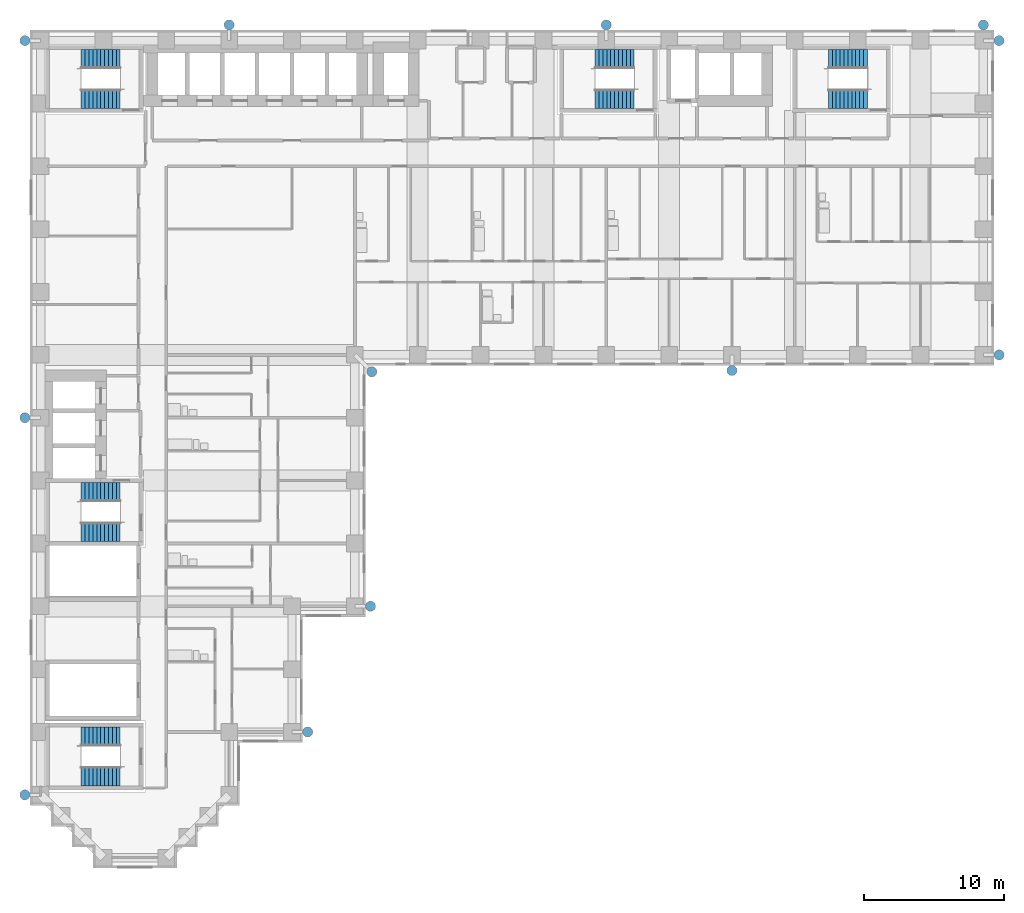
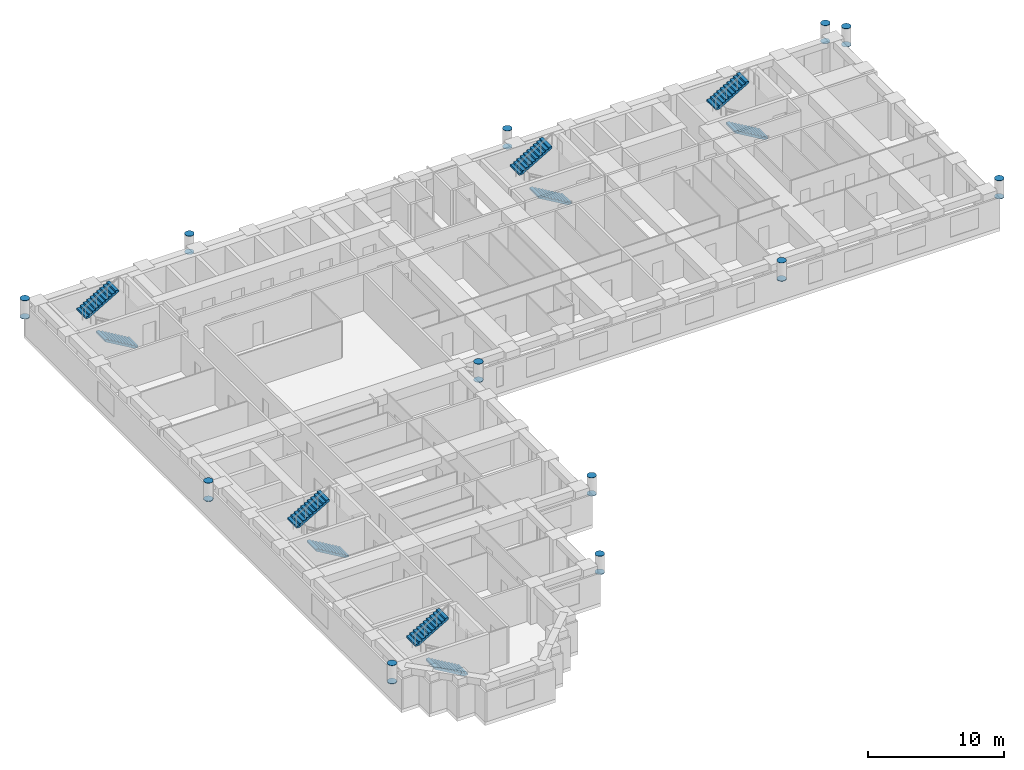
# One storey, part 12 of 14: 24 discrete accessories, 10 stair flights, 5 elements without a shape of their own.
"""IFC4 building model written with IfcOpenShell, lengths in metres."""

import ifcopenshell
import ifcopenshell.guid

model = None  # the IFC model being written
_history = None  # IfcOwnerHistory: only IFC2X3 demands one
_inside = {}  # id of a spatial element -> (the spatial element, [elements in it])
_under = {}  # id of a project, library or spatial element -> (it, [spatial elements below it])
_declared = {}  # id of a project -> (the project, [libraries it declares])
_typed = {}  # id of a type object -> (the type object, [elements of that type])
_made_of = {}  # id of a material, layer set ... -> (it, [elements and type objects made of it])


def new_model(schema):
    """Start an empty IFC model of exactly this schema.

    Asked for "IFC4X3", IfcOpenShell would pick the latest addendum, in which some entities
    have other attributes; the version numbers below select the first issue.
    IFC2X3 requires an IfcOwnerHistory on every rooted entity: one is made here for all.
    """
    global model, _history
    if schema == "IFC4X3":
        model = ifcopenshell.file(schema_version=(4, 3, 0, 0))
    else:
        model = ifcopenshell.file(schema=schema)
    _inside.clear()
    _under.clear()
    _declared.clear()
    _typed.clear()
    _made_of.clear()
    _history = None
    if model.schema == "IFC2X3":
        org = make("IfcOrganization", Name="unknown")
        user = make(
            "IfcPersonAndOrganization",
            ThePerson=make("IfcPerson", FamilyName="unknown"),
            TheOrganization=org,
        )
        app = make(
            "IfcApplication",
            ApplicationDeveloper=org,
            Version="unknown",
            ApplicationFullName="unknown",
            ApplicationIdentifier="unknown",
        )
        _history = make(
            "IfcOwnerHistory",
            OwningUser=user,
            OwningApplication=app,
            ChangeAction="ADDED",
            CreationDate=0,
        )
    return model


def make(cls, **values):
    """One entity of the class cls with the attributes given. An attribute that is None is left unset."""
    return model.create_entity(
        cls, **{name: value for name, value in values.items() if value is not None}
    )


def rooted(cls, **values):
    """An entity with a GlobalId (a new one), such as an element, a storey or a relation."""
    return make(cls, GlobalId=ifcopenshell.guid.new(), OwnerHistory=_history, **values)


def si_unit(unit_type, name, prefix=None):
    """IfcSIUnit, for example si_unit("LENGTHUNIT", "METRE", prefix="MILLI")."""
    return make("IfcSIUnit", UnitType=unit_type, Prefix=prefix, Name=name)


def assignment(units):
    """IfcUnitAssignment: the units of a project."""
    return None if units is None else make("IfcUnitAssignment", Units=units)


def point(xyz):
    """IfcCartesianPoint."""
    return None if xyz is None else make("IfcCartesianPoint", Coordinates=xyz)


def direction(xyz):
    """IfcDirection."""
    return None if xyz is None else make("IfcDirection", DirectionRatios=xyz)


def frame(location, z_axis=None, x_axis=None):
    """IfcAxis2Placement3D, a coordinate frame: its origin and axes. An axis left out is left unset."""
    return make(
        "IfcAxis2Placement3D",
        Location=point(location),
        Axis=direction(z_axis),
        RefDirection=direction(x_axis),
    )


def frame_2d(location, x_axis=None):
    """IfcAxis2Placement2D, a coordinate frame in the plane: its origin and x axis."""
    return make(
        "IfcAxis2Placement2D", Location=point(location), RefDirection=direction(x_axis)
    )


def origin():
    """The frame at (0, 0, 0) with its axes left unset."""
    return frame((0.0, 0.0, 0.0))


def origin_2d():
    """The frame at (0, 0) in the plane with its x axis left unset."""
    return frame_2d((0.0, 0.0))


def place(relative_to, where):
    """IfcLocalPlacement: puts the frame where relative to a parent placement (None: the world)."""
    return make(
        "IfcLocalPlacement", PlacementRelTo=relative_to, RelativePlacement=where
    )


def context(
    kind, dimensions, precision=None, world=None, true_north=None, identifier=None
):
    """IfcGeometricRepresentationContext, for example the 3D "Model" context."""
    return make(
        "IfcGeometricRepresentationContext",
        ContextIdentifier=identifier,
        ContextType=kind,
        CoordinateSpaceDimension=dimensions,
        Precision=precision,
        WorldCoordinateSystem=world,
        TrueNorth=true_north,
    )


def subcontext(parent, identifier, kind, view, scale=None):
    """IfcGeometricRepresentationSubContext, for example "Body" below "Model"."""
    return make(
        "IfcGeometricRepresentationSubContext",
        ContextIdentifier=identifier,
        ContextType=kind,
        ParentContext=parent,
        TargetScale=scale,
        TargetView=view,
    )


def project(units=None, contexts=None):
    """IfcProject with its units and contexts."""
    return rooted(
        "IfcProject",
        Name="project",
        RepresentationContexts=contexts,
        UnitsInContext=assignment(units),
    )


def spatial(cls, under=None, at=None, **own):
    """A site, building, storey or space (cls), placed at a placement, below another one or the project."""
    s = rooted(cls, ObjectPlacement=at, **own)
    if under is not None:
        _under.setdefault(under.id(), (under, []))[1].append(s)
    return s


def polyline(points):
    """IfcPolyline through the points."""
    return make("IfcPolyline", Points=[point(p) for p in points])


def profile(cls, at=None, kind="AREA", **sizes):
    """A parametric profile (cls). Its sizes go by their IFC names, for example OverallWidth=200.0."""
    return make(cls, ProfileType=kind, Position=at, **sizes)


def circle(**sizes):
    """IfcCircleProfileDef."""
    return profile("IfcCircleProfileDef", **sizes)


def outline(outer, holes=None, kind="AREA"):
    """IfcArbitraryClosedProfileDef: a profile drawn as a closed curve; with holes, ...WithVoids."""
    if holes is None:
        return make("IfcArbitraryClosedProfileDef", ProfileType=kind, OuterCurve=outer)
    return make(
        "IfcArbitraryProfileDefWithVoids",
        ProfileType=kind,
        OuterCurve=outer,
        InnerCurves=holes,
    )


def extrude(swept, where, along, depth):
    """IfcExtrudedAreaSolid: the profile swept, set in the frame where, extruded along a direction by depth."""
    return make(
        "IfcExtrudedAreaSolid",
        SweptArea=swept,
        Position=where,
        ExtrudedDirection=direction(along),
        Depth=depth,
    )


def shape(context_of_items, identifier, shape_type, items):
    """IfcShapeRepresentation: the items that make up one representation, for example the "Body"."""
    return make(
        "IfcShapeRepresentation",
        ContextOfItems=context_of_items,
        RepresentationIdentifier=identifier,
        RepresentationType=shape_type,
        Items=items,
    )


def material(Name=None, Category=None):
    """IfcMaterial."""
    return make("IfcMaterial", Name=Name, Category=Category)


def material_profile(
    of_material, cross_section, Name=None, Category=None, Priority=None
):
    """IfcMaterialProfile: a cross section and its material."""
    return make(
        "IfcMaterialProfile",
        Name=Name,
        Material=of_material,
        Profile=cross_section,
        Priority=Priority,
        Category=Category,
    )


def profile_set(profiles, Name=None, composite=None):
    """IfcMaterialProfileSet."""
    return make(
        "IfcMaterialProfileSet",
        Name=Name,
        MaterialProfiles=profiles,
        CompositeProfile=composite,
    )


def made_of(thing, what):
    """Note that an element or type object is made of a material, layer set ...; save() writes the relation."""
    if what is not None:
        _made_of.setdefault(what.id(), (what, []))[1].append(thing)
    return thing


def type_object(cls, material=None, **own):
    """A type object (cls), such as IfcWallType, which elements share."""
    return made_of(rooted(cls, **own), material)


def element(
    cls,
    number,
    at=None,
    inside=None,
    cuts=None,
    type_object=None,
    material=None,
    context=None,
    identifier="Body",
    shape_type=None,
    held_by="IfcProductDefinitionShape",
    body=None,
    shapes=None,
    **own,
):
    """One element of the class cls, such as IfcWall. Its Tag is "e" and its number.

    at: its placement. inside: the storey or other place that contains it. cuts: it is an
    opening in that element (IfcRelVoidsElement). A single representation is given by context,
    identifier, shape_type and body (its items); several are given by shapes. held_by: the class
    of the entity that holds the representations. save() writes the other relations.
    """
    e = rooted(cls, Tag="e%d" % number, ObjectPlacement=at, **own)
    if body is not None:
        shapes = [shape(context, identifier, shape_type, body)]
    if shapes is not None:
        e.Representation = make(held_by, Representations=shapes)
    if inside is not None:
        _inside.setdefault(inside.id(), (inside, []))[1].append(e)
    if cuts is not None:
        rooted(
            "IfcRelVoidsElement", RelatingBuildingElement=cuts, RelatedOpeningElement=e
        )
    if type_object is not None:
        _typed.setdefault(type_object.id(), (type_object, []))[1].append(e)
    return made_of(e, material)


def aggregate(whole, parts):
    """IfcRelAggregates: a whole, such as a stair, and the parts it consists of."""
    return rooted("IfcRelAggregates", RelatingObject=whole, RelatedObjects=parts)


def save(model, path):
    """Write the relations noted so far, then the file.

    IfcRelAggregates (storeys below a building ...), IfcRelContainedInSpatialStructure (elements
    in a storey), IfcRelDefinesByType, IfcRelAssociatesMaterial and IfcRelDeclares: one each for
    every whole, place, type object, material and project.
    """
    for whole, parts in _under.values():
        aggregate(whole, parts)
    for where, things in _inside.values():
        rooted(
            "IfcRelContainedInSpatialStructure",
            RelatedElements=things,
            RelatingStructure=where,
        )
    for kind, things in _typed.values():
        rooted("IfcRelDefinesByType", RelatedObjects=things, RelatingType=kind)
    for what, things in _made_of.values():
        rooted("IfcRelAssociatesMaterial", RelatedObjects=things, RelatingMaterial=what)
    for by, libraries in _declared.values():
        rooted("IfcRelDeclares", RelatingContext=by, RelatedDefinitions=libraries)
    model.write(path)


model = new_model("IFC4")

# Units and contexts
model_context = context("Model", 3, precision=1e-05, world=origin(), true_north=direction((0.0, 1.0)))
body_context = subcontext(model_context, "Body", "Model", "MODEL_VIEW")
ifc_project = project(units=[si_unit("LENGTHUNIT", "METRE"), si_unit("AREAUNIT", "SQUARE_METRE"), si_unit("VOLUMEUNIT", "CUBIC_METRE"), si_unit("PLANEANGLEUNIT", "RADIAN"), si_unit("MASSUNIT", "GRAM", prefix="KILO")], contexts=[model_context])

# Site, building, storey
site_placement = place(None, origin())
site = spatial("IfcSite", under=ifc_project, at=site_placement, CompositionType="ELEMENT")
building_placement = place(site_placement, origin())
building = spatial("IfcBuilding", under=site, at=building_placement, Name="Firuza Court", CompositionType="ELEMENT")
storey_placement = place(building_placement, frame((0.0, 0.0, 47.0)))
storey = spatial("IfcBuildingStorey", under=building, at=storey_placement, Name="L10", CompositionType="ELEMENT", Elevation=47.0)

# Stair, stair flights
ifc_material_1 = material(Name="Concrete C40/50 precast", Category="concrete")
stair_type = type_object("IfcStairType", Name="Stair 1350 x 3600 2 flights", PredefinedType="HALF_TURN_STAIR", material=ifc_material_1)
stair_1_placement = place(storey_placement, origin())
stair_1 = element("IfcStair", 1, at=stair_1_placement, inside=storey, type_object=stair_type, Name="Stair 1 L10", PredefinedType="HALF_TURN_STAIR")
ifc_material_2 = material(Name="Concrete C40/50 precast", Category="concrete")
stair_flight_type = type_object("IfcStairFlightType", Name="Flight 1350 riser 163.6", PredefinedType="STRAIGHT", material=ifc_material_2)
stair_flight_1_placement = place(storey_placement, frame((42.5, 54.324951171875, 0.0), z_axis=(0.0, 0.0, 1.0), x_axis=(-1.0, 0.0, 0.0)))
stair_flight_1 = element("IfcStairFlight", 2, at=stair_flight_1_placement, type_object=stair_flight_type, Name="S1 flight 1", NumberOfRisers=11, NumberOfTreads=10, PredefinedType="STRAIGHT", RiserHeight=0.163636364, TreadLength=0.28, context=body_context, shape_type="SweptSolid", body=[
    extrude(outline(polyline([(0.0, 0.0), (0.0, 0.16357421875), (0.280029296875, 0.16357421875), (0.280029296875, 0.327392578125), (0.56005859375, 0.327392578125), (0.56005859375, 0.490966796875), (0.840087890625, 0.490966796875), (0.840087890625, 0.654541015625), (1.1201171875, 0.654541015625), (1.1201171875, 0.818115234375), (1.39990234375, 0.818115234375), (1.39990234375, 0.98193359375), (1.679931640625, 0.98193359375), (1.679931640625, 1.1455078125), (1.9599609375, 1.1455078125), (1.9599609375, 1.30908203125), (2.239990234375, 1.30908203125), (2.239990234375, 1.47265625), (2.52001953125, 1.47265625), (2.52001953125, 1.636474609375), (2.800048828125, 1.636474609375), (2.800048828125, 1.800048828125), (2.800048828125, 1.462646484375), (0.297119140625, 0.0), (0.0, 0.0)])), frame((0.0, 0.675048828125, 0.0), z_axis=(0.0, -1.0, 0.0), x_axis=(1.0, 0.0, 0.0)), (0.0, 0.0, 1.0), 1.35009765625),
])
stair_flight_2_placement = place(storey_placement, frame((39.699951171875, 57.175048828125, 1.800048828125), z_axis=(0.0, 0.0, 1.0), x_axis=(1.0, 0.0, 0.0)))
stair_flight_2 = element("IfcStairFlight", 3, at=stair_flight_2_placement, type_object=stair_flight_type, Name="S1 flight 2", NumberOfRisers=11, NumberOfTreads=10, PredefinedType="STRAIGHT", RiserHeight=0.163636364, TreadLength=0.28, context=body_context, shape_type="SweptSolid", body=[
    extrude(outline(polyline([(0.0, 0.0), (0.0, 0.16357421875), (0.280029296875, 0.16357421875), (0.280029296875, 0.327392578125), (0.56005859375, 0.327392578125), (0.56005859375, 0.490966796875), (0.840087890625, 0.490966796875), (0.840087890625, 0.654541015625), (1.1201171875, 0.654541015625), (1.1201171875, 0.818115234375), (1.39990234375, 0.818115234375), (1.39990234375, 0.98193359375), (1.679931640625, 0.98193359375), (1.679931640625, 1.1455078125), (1.9599609375, 1.1455078125), (1.9599609375, 1.30908203125), (2.239990234375, 1.30908203125), (2.239990234375, 1.47265625), (2.52001953125, 1.47265625), (2.52001953125, 1.636474609375), (2.800048828125, 1.636474609375), (2.800048828125, 1.800048828125), (2.800048828125, 1.462646484375), (0.297119140625, 0.0), (0.0, 0.0)])), frame((0.0, 0.675048828125, 0.0), z_axis=(0.0, -1.0, 0.0), x_axis=(1.0, 0.0, 0.0)), (0.0, 0.0, 1.0), 1.35009765625),
])
aggregate(stair_1, [stair_flight_1, stair_flight_2])

stair_2_placement = place(storey_placement, origin())
stair_2 = element("IfcStair", 4, at=stair_2_placement, inside=storey, type_object=stair_type, Name="Stair 2 L10", PredefinedType="HALF_TURN_STAIR")
stair_flight_3_placement = place(storey_placement, frame((5.699951171875, 23.324951171875, 0.0), z_axis=(0.0, 0.0, 1.0), x_axis=(-1.0, 0.0, 0.0)))
stair_flight_3 = element("IfcStairFlight", 5, at=stair_flight_3_placement, type_object=stair_flight_type, Name="S2 flight 1", NumberOfRisers=11, NumberOfTreads=10, PredefinedType="STRAIGHT", RiserHeight=0.163636364, TreadLength=0.28, context=body_context, shape_type="SweptSolid", body=[
    extrude(outline(polyline([(0.0, 0.0), (0.0, 0.16357421875), (0.280029296875, 0.16357421875), (0.280029296875, 0.327392578125), (0.56005859375, 0.327392578125), (0.56005859375, 0.490966796875), (0.840087890625, 0.490966796875), (0.840087890625, 0.654541015625), (1.1201171875, 0.654541015625), (1.1201171875, 0.818115234375), (1.39990234375, 0.818115234375), (1.39990234375, 0.98193359375), (1.679931640625, 0.98193359375), (1.679931640625, 1.1455078125), (1.9599609375, 1.1455078125), (1.9599609375, 1.30908203125), (2.239990234375, 1.30908203125), (2.239990234375, 1.47265625), (2.52001953125, 1.47265625), (2.52001953125, 1.636474609375), (2.800048828125, 1.636474609375), (2.800048828125, 1.800048828125), (2.800048828125, 1.462646484375), (0.297119140625, 0.0), (0.0, 0.0)])), frame((0.0, 0.675048828125, 0.0), z_axis=(0.0, -1.0, 0.0), x_axis=(1.0, 0.0, 0.0)), (0.0, 0.0, 1.0), 1.35009765625),
])
stair_flight_4_placement = place(storey_placement, frame((2.89990234375, 26.175048828125, 1.800048828125), z_axis=(0.0, 0.0, 1.0), x_axis=(1.0, 0.0, 0.0)))
stair_flight_4 = element("IfcStairFlight", 6, at=stair_flight_4_placement, type_object=stair_flight_type, Name="S2 flight 2", NumberOfRisers=11, NumberOfTreads=10, PredefinedType="STRAIGHT", RiserHeight=0.163636364, TreadLength=0.28, context=body_context, shape_type="SweptSolid", body=[
    extrude(outline(polyline([(0.0, 0.0), (0.0, 0.16357421875), (0.280029296875, 0.16357421875), (0.280029296875, 0.327392578125), (0.56005859375, 0.327392578125), (0.56005859375, 0.490966796875), (0.840087890625, 0.490966796875), (0.840087890625, 0.654541015625), (1.1201171875, 0.654541015625), (1.1201171875, 0.818115234375), (1.39990234375, 0.818115234375), (1.39990234375, 0.98193359375), (1.679931640625, 0.98193359375), (1.679931640625, 1.1455078125), (1.9599609375, 1.1455078125), (1.9599609375, 1.30908203125), (2.239990234375, 1.30908203125), (2.239990234375, 1.47265625), (2.52001953125, 1.47265625), (2.52001953125, 1.636474609375), (2.800048828125, 1.636474609375), (2.800048828125, 1.800048828125), (2.800048828125, 1.462646484375), (0.297119140625, 0.0), (0.0, 0.0)])), frame((0.0, 0.675048828125, 0.0), z_axis=(0.0, -1.0, 0.0), x_axis=(1.0, 0.0, 0.0)), (0.0, 0.0, 1.0), 1.35009765625),
])
aggregate(stair_2, [stair_flight_3, stair_flight_4])

stair_3_placement = place(storey_placement, origin())
stair_3 = element("IfcStair", 7, at=stair_3_placement, inside=storey, type_object=stair_type, Name="Stair 3 L10", PredefinedType="HALF_TURN_STAIR")
stair_flight_5_placement = place(storey_placement, frame((5.699951171875, 54.324951171875, 0.0), z_axis=(0.0, 0.0, 1.0), x_axis=(-1.0, 0.0, 0.0)))
stair_flight_5 = element("IfcStairFlight", 8, at=stair_flight_5_placement, type_object=stair_flight_type, Name="S3 flight 1", NumberOfRisers=11, NumberOfTreads=10, PredefinedType="STRAIGHT", RiserHeight=0.163636364, TreadLength=0.28, context=body_context, shape_type="SweptSolid", body=[
    extrude(outline(polyline([(0.0, 0.0), (0.0, 0.16357421875), (0.280029296875, 0.16357421875), (0.280029296875, 0.327392578125), (0.56005859375, 0.327392578125), (0.56005859375, 0.490966796875), (0.840087890625, 0.490966796875), (0.840087890625, 0.654541015625), (1.1201171875, 0.654541015625), (1.1201171875, 0.818115234375), (1.39990234375, 0.818115234375), (1.39990234375, 0.98193359375), (1.679931640625, 0.98193359375), (1.679931640625, 1.1455078125), (1.9599609375, 1.1455078125), (1.9599609375, 1.30908203125), (2.239990234375, 1.30908203125), (2.239990234375, 1.47265625), (2.52001953125, 1.47265625), (2.52001953125, 1.636474609375), (2.800048828125, 1.636474609375), (2.800048828125, 1.800048828125), (2.800048828125, 1.462646484375), (0.297119140625, 0.0), (0.0, 0.0)])), frame((0.0, 0.675048828125, 0.0), z_axis=(0.0, -1.0, 0.0), x_axis=(1.0, 0.0, 0.0)), (0.0, 0.0, 1.0), 1.35009765625),
])
stair_flight_6_placement = place(storey_placement, frame((2.89990234375, 57.175048828125, 1.800048828125), z_axis=(0.0, 0.0, 1.0), x_axis=(1.0, 0.0, 0.0)))
stair_flight_6 = element("IfcStairFlight", 9, at=stair_flight_6_placement, type_object=stair_flight_type, Name="S3 flight 2", NumberOfRisers=11, NumberOfTreads=10, PredefinedType="STRAIGHT", RiserHeight=0.163636364, TreadLength=0.28, context=body_context, shape_type="SweptSolid", body=[
    extrude(outline(polyline([(0.0, 0.0), (0.0, 0.16357421875), (0.280029296875, 0.16357421875), (0.280029296875, 0.327392578125), (0.56005859375, 0.327392578125), (0.56005859375, 0.490966796875), (0.840087890625, 0.490966796875), (0.840087890625, 0.654541015625), (1.1201171875, 0.654541015625), (1.1201171875, 0.818115234375), (1.39990234375, 0.818115234375), (1.39990234375, 0.98193359375), (1.679931640625, 0.98193359375), (1.679931640625, 1.1455078125), (1.9599609375, 1.1455078125), (1.9599609375, 1.30908203125), (2.239990234375, 1.30908203125), (2.239990234375, 1.47265625), (2.52001953125, 1.47265625), (2.52001953125, 1.636474609375), (2.800048828125, 1.636474609375), (2.800048828125, 1.800048828125), (2.800048828125, 1.462646484375), (0.297119140625, 0.0), (0.0, 0.0)])), frame((0.0, 0.675048828125, 0.0), z_axis=(0.0, -1.0, 0.0), x_axis=(1.0, 0.0, 0.0)), (0.0, 0.0, 1.0), 1.35009765625),
])
aggregate(stair_3, [stair_flight_5, stair_flight_6])

stair_4_placement = place(storey_placement, origin())
stair_4 = element("IfcStair", 10, at=stair_4_placement, inside=storey, type_object=stair_type, Name="Stair 4 L10", PredefinedType="HALF_TURN_STAIR")
stair_flight_7_placement = place(storey_placement, frame((59.199951171875, 54.324951171875, 0.0), z_axis=(0.0, 0.0, 1.0), x_axis=(-1.0, 0.0, 0.0)))
stair_flight_7 = element("IfcStairFlight", 11, at=stair_flight_7_placement, type_object=stair_flight_type, Name="S4 flight 1", NumberOfRisers=11, NumberOfTreads=10, PredefinedType="STRAIGHT", RiserHeight=0.163636364, TreadLength=0.28, context=body_context, shape_type="SweptSolid", body=[
    extrude(outline(polyline([(0.0, 0.0), (0.0, 0.16357421875), (0.280029296875, 0.16357421875), (0.280029296875, 0.327392578125), (0.56005859375, 0.327392578125), (0.56005859375, 0.490966796875), (0.840087890625, 0.490966796875), (0.840087890625, 0.654541015625), (1.1201171875, 0.654541015625), (1.1201171875, 0.818115234375), (1.39990234375, 0.818115234375), (1.39990234375, 0.98193359375), (1.679931640625, 0.98193359375), (1.679931640625, 1.1455078125), (1.9599609375, 1.1455078125), (1.9599609375, 1.30908203125), (2.239990234375, 1.30908203125), (2.239990234375, 1.47265625), (2.52001953125, 1.47265625), (2.52001953125, 1.636474609375), (2.800048828125, 1.636474609375), (2.800048828125, 1.800048828125), (2.800048828125, 1.462646484375), (0.297119140625, 0.0), (0.0, 0.0)])), frame((0.0, 0.675048828125, 0.0), z_axis=(0.0, -1.0, 0.0), x_axis=(1.0, 0.0, 0.0)), (0.0, 0.0, 1.0), 1.35009765625),
])
stair_flight_8_placement = place(storey_placement, frame((56.39990234375, 57.175048828125, 1.800048828125), z_axis=(0.0, 0.0, 1.0), x_axis=(1.0, 0.0, 0.0)))
stair_flight_8 = element("IfcStairFlight", 12, at=stair_flight_8_placement, type_object=stair_flight_type, Name="S4 flight 2", NumberOfRisers=11, NumberOfTreads=10, PredefinedType="STRAIGHT", RiserHeight=0.163636364, TreadLength=0.28, context=body_context, shape_type="SweptSolid", body=[
    extrude(outline(polyline([(0.0, 0.0), (0.0, 0.16357421875), (0.280029296875, 0.16357421875), (0.280029296875, 0.327392578125), (0.56005859375, 0.327392578125), (0.56005859375, 0.490966796875), (0.840087890625, 0.490966796875), (0.840087890625, 0.654541015625), (1.1201171875, 0.654541015625), (1.1201171875, 0.818115234375), (1.39990234375, 0.818115234375), (1.39990234375, 0.98193359375), (1.679931640625, 0.98193359375), (1.679931640625, 1.1455078125), (1.9599609375, 1.1455078125), (1.9599609375, 1.30908203125), (2.239990234375, 1.30908203125), (2.239990234375, 1.47265625), (2.52001953125, 1.47265625), (2.52001953125, 1.636474609375), (2.800048828125, 1.636474609375), (2.800048828125, 1.800048828125), (2.800048828125, 1.462646484375), (0.297119140625, 0.0), (0.0, 0.0)])), frame((0.0, 0.675048828125, 0.0), z_axis=(0.0, -1.0, 0.0), x_axis=(1.0, 0.0, 0.0)), (0.0, 0.0, 1.0), 1.35009765625),
])
aggregate(stair_4, [stair_flight_7, stair_flight_8])

stair_5_placement = place(storey_placement, origin())
stair_5 = element("IfcStair", 13, at=stair_5_placement, inside=storey, type_object=stair_type, Name="Stair 5 L10", PredefinedType="HALF_TURN_STAIR")
stair_flight_9_placement = place(storey_placement, frame((5.699951171875, 5.824951171875, 0.0), z_axis=(0.0, 0.0, 1.0), x_axis=(-1.0, 0.0, 0.0)))
stair_flight_9 = element("IfcStairFlight", 14, at=stair_flight_9_placement, type_object=stair_flight_type, Name="S5 flight 1", NumberOfRisers=11, NumberOfTreads=10, PredefinedType="STRAIGHT", RiserHeight=0.163636364, TreadLength=0.28, context=body_context, shape_type="SweptSolid", body=[
    extrude(outline(polyline([(0.0, 0.0), (0.0, 0.16357421875), (0.280029296875, 0.16357421875), (0.280029296875, 0.327392578125), (0.56005859375, 0.327392578125), (0.56005859375, 0.490966796875), (0.840087890625, 0.490966796875), (0.840087890625, 0.654541015625), (1.1201171875, 0.654541015625), (1.1201171875, 0.818115234375), (1.39990234375, 0.818115234375), (1.39990234375, 0.98193359375), (1.679931640625, 0.98193359375), (1.679931640625, 1.1455078125), (1.9599609375, 1.1455078125), (1.9599609375, 1.30908203125), (2.239990234375, 1.30908203125), (2.239990234375, 1.47265625), (2.52001953125, 1.47265625), (2.52001953125, 1.636474609375), (2.800048828125, 1.636474609375), (2.800048828125, 1.800048828125), (2.800048828125, 1.462646484375), (0.297119140625, 0.0), (0.0, 0.0)])), frame((0.0, 0.675048828125, 0.0), z_axis=(0.0, -1.0, 0.0), x_axis=(1.0, 0.0, 0.0)), (0.0, 0.0, 1.0), 1.35009765625),
])
stair_flight_10_placement = place(storey_placement, frame((2.89990234375, 8.675048828125, 1.800048828125), z_axis=(0.0, 0.0, 1.0), x_axis=(1.0, 0.0, 0.0)))
stair_flight_10 = element("IfcStairFlight", 15, at=stair_flight_10_placement, type_object=stair_flight_type, Name="S5 flight 2", NumberOfRisers=11, NumberOfTreads=10, PredefinedType="STRAIGHT", RiserHeight=0.163636364, TreadLength=0.28, context=body_context, shape_type="SweptSolid", body=[
    extrude(outline(polyline([(0.0, 0.0), (0.0, 0.16357421875), (0.280029296875, 0.16357421875), (0.280029296875, 0.327392578125), (0.56005859375, 0.327392578125), (0.56005859375, 0.490966796875), (0.840087890625, 0.490966796875), (0.840087890625, 0.654541015625), (1.1201171875, 0.654541015625), (1.1201171875, 0.818115234375), (1.39990234375, 0.818115234375), (1.39990234375, 0.98193359375), (1.679931640625, 0.98193359375), (1.679931640625, 1.1455078125), (1.9599609375, 1.1455078125), (1.9599609375, 1.30908203125), (2.239990234375, 1.30908203125), (2.239990234375, 1.47265625), (2.52001953125, 1.47265625), (2.52001953125, 1.636474609375), (2.800048828125, 1.636474609375), (2.800048828125, 1.800048828125), (2.800048828125, 1.462646484375), (0.297119140625, 0.0), (0.0, 0.0)])), frame((0.0, 0.675048828125, 0.0), z_axis=(0.0, -1.0, 0.0), x_axis=(1.0, 0.0, 0.0)), (0.0, 0.0, 1.0), 1.35009765625),
])
aggregate(stair_5, [stair_flight_9, stair_flight_10])

# Discrete accessories
ifc_material_3 = material(Name="Steel S355", Category="steel")
ifc_material_profile = material_profile(ifc_material_3, circle(Radius=0.35546875, at=origin_2d()), Name="PL D711")
ifc_profile_set = profile_set([ifc_material_profile], Name="Steel S355")
discrete_accessory_type = type_object("IfcDiscreteAccessoryType", Name="DIAGRID NODE END PLATE", PredefinedType="NOTDEFINED", material=ifc_profile_set)
discrete_accessory_1_placement = place(storey_placement, frame((-1.1201171875, 4.5, 3.85009765625), z_axis=(0.0, 0.0, 1.0), x_axis=(1.0, 0.0, 0.0)))
element("IfcDiscreteAccessory", 16, at=discrete_accessory_1_placement, inside=storey, type_object=discrete_accessory_type, Name="Diagrid node end plate level L10", PredefinedType="NOTDEFINED", context=body_context, shape_type="SweptSolid", body=[
    extrude(circle(Radius=0.35546875, at=origin_2d()), origin(), (0.0, 0.0, 1.0), 0.02978515625),
])
discrete_accessory_2_placement = place(storey_placement, frame((-1.1201171875, 4.5, 2.219970703125), z_axis=(0.0, 0.0, 1.0), x_axis=(1.0, 0.0, 0.0)))
element("IfcDiscreteAccessory", 17, at=discrete_accessory_2_placement, inside=storey, type_object=discrete_accessory_type, Name="Diagrid node end plate level L10", PredefinedType="NOTDEFINED", context=body_context, shape_type="SweptSolid", body=[
    extrude(circle(Radius=0.35546875, at=origin_2d()), origin(), (0.0, 0.0, 1.0), 0.030029296875),
])
discrete_accessory_3_placement = place(storey_placement, frame((-1.1201171875, 31.5, 3.85009765625), z_axis=(0.0, 0.0, 1.0), x_axis=(1.0, 0.0, 0.0)))
element("IfcDiscreteAccessory", 18, at=discrete_accessory_3_placement, inside=storey, type_object=discrete_accessory_type, Name="Diagrid node end plate level L10", PredefinedType="NOTDEFINED", context=body_context, shape_type="SweptSolid", body=[
    extrude(circle(Radius=0.35546875, at=origin_2d()), origin(), (0.0, 0.0, 1.0), 0.02978515625),
])
discrete_accessory_4_placement = place(storey_placement, frame((-1.1201171875, 31.5, 2.219970703125), z_axis=(0.0, 0.0, 1.0), x_axis=(1.0, 0.0, 0.0)))
element("IfcDiscreteAccessory", 19, at=discrete_accessory_4_placement, inside=storey, type_object=discrete_accessory_type, Name="Diagrid node end plate level L10", PredefinedType="NOTDEFINED", context=body_context, shape_type="SweptSolid", body=[
    extrude(circle(Radius=0.35546875, at=origin_2d()), origin(), (0.0, 0.0, 1.0), 0.030029296875),
])
discrete_accessory_5_placement = place(storey_placement, frame((-1.1201171875, 58.5, 3.85009765625), z_axis=(0.0, 0.0, 1.0), x_axis=(1.0, 0.0, 0.0)))
element("IfcDiscreteAccessory", 20, at=discrete_accessory_5_placement, inside=storey, type_object=discrete_accessory_type, Name="Diagrid node end plate level L10", PredefinedType="NOTDEFINED", context=body_context, shape_type="SweptSolid", body=[
    extrude(circle(Radius=0.35546875, at=origin_2d()), origin(), (0.0, 0.0, 1.0), 0.02978515625),
])
discrete_accessory_6_placement = place(storey_placement, frame((-1.1201171875, 58.5, 2.219970703125), z_axis=(0.0, 0.0, 1.0), x_axis=(1.0, 0.0, 0.0)))
element("IfcDiscreteAccessory", 21, at=discrete_accessory_6_placement, inside=storey, type_object=discrete_accessory_type, Name="Diagrid node end plate level L10", PredefinedType="NOTDEFINED", context=body_context, shape_type="SweptSolid", body=[
    extrude(circle(Radius=0.35546875, at=origin_2d()), origin(), (0.0, 0.0, 1.0), 0.030029296875),
])
discrete_accessory_7_placement = place(storey_placement, frame((13.5, 59.6201171875, 3.85009765625), z_axis=(0.0, 0.0, 1.0), x_axis=(1.0, 0.0, 0.0)))
element("IfcDiscreteAccessory", 22, at=discrete_accessory_7_placement, inside=storey, type_object=discrete_accessory_type, Name="Diagrid node end plate level L10", PredefinedType="NOTDEFINED", context=body_context, shape_type="SweptSolid", body=[
    extrude(circle(Radius=0.35546875, at=origin_2d()), origin(), (0.0, 0.0, 1.0), 0.02978515625),
])
discrete_accessory_8_placement = place(storey_placement, frame((13.5, 59.6201171875, 2.219970703125), z_axis=(0.0, 0.0, 1.0), x_axis=(1.0, 0.0, 0.0)))
element("IfcDiscreteAccessory", 23, at=discrete_accessory_8_placement, inside=storey, type_object=discrete_accessory_type, Name="Diagrid node end plate level L10", PredefinedType="NOTDEFINED", context=body_context, shape_type="SweptSolid", body=[
    extrude(circle(Radius=0.35546875, at=origin_2d()), origin(), (0.0, 0.0, 1.0), 0.030029296875),
])
discrete_accessory_9_placement = place(storey_placement, frame((19.1201171875, 9.0, 3.85009765625), z_axis=(0.0, 0.0, 1.0), x_axis=(1.0, 0.0, 0.0)))
element("IfcDiscreteAccessory", 24, at=discrete_accessory_9_placement, inside=storey, type_object=discrete_accessory_type, Name="Diagrid node end plate level L10", PredefinedType="NOTDEFINED", context=body_context, shape_type="SweptSolid", body=[
    extrude(circle(Radius=0.35546875, at=origin_2d()), origin(), (0.0, 0.0, 1.0), 0.02978515625),
])
discrete_accessory_10_placement = place(storey_placement, frame((19.1201171875, 9.0, 2.219970703125), z_axis=(0.0, 0.0, 1.0), x_axis=(1.0, 0.0, 0.0)))
element("IfcDiscreteAccessory", 25, at=discrete_accessory_10_placement, inside=storey, type_object=discrete_accessory_type, Name="Diagrid node end plate level L10", PredefinedType="NOTDEFINED", context=body_context, shape_type="SweptSolid", body=[
    extrude(circle(Radius=0.35546875, at=origin_2d()), origin(), (0.0, 0.0, 1.0), 0.030029296875),
])
discrete_accessory_11_placement = place(storey_placement, frame((23.6201171875, 18.0, 3.85009765625), z_axis=(0.0, 0.0, 1.0), x_axis=(1.0, 0.0, 0.0)))
element("IfcDiscreteAccessory", 26, at=discrete_accessory_11_placement, inside=storey, type_object=discrete_accessory_type, Name="Diagrid node end plate level L10", PredefinedType="NOTDEFINED", context=body_context, shape_type="SweptSolid", body=[
    extrude(circle(Radius=0.35546875, at=origin_2d()), origin(), (0.0, 0.0, 1.0), 0.02978515625),
])
discrete_accessory_12_placement = place(storey_placement, frame((23.6201171875, 18.0, 2.219970703125), z_axis=(0.0, 0.0, 1.0), x_axis=(1.0, 0.0, 0.0)))
element("IfcDiscreteAccessory", 27, at=discrete_accessory_12_placement, inside=storey, type_object=discrete_accessory_type, Name="Diagrid node end plate level L10", PredefinedType="NOTDEFINED", context=body_context, shape_type="SweptSolid", body=[
    extrude(circle(Radius=0.35546875, at=origin_2d()), origin(), (0.0, 0.0, 1.0), 0.030029296875),
])
discrete_accessory_13_placement = place(storey_placement, frame((23.7099609375, 34.7900390625, 3.85009765625), z_axis=(0.0, 0.0, 1.0), x_axis=(1.0, 0.0, 0.0)))
element("IfcDiscreteAccessory", 28, at=discrete_accessory_13_placement, inside=storey, type_object=discrete_accessory_type, Name="Diagrid node end plate level L10", PredefinedType="NOTDEFINED", context=body_context, shape_type="SweptSolid", body=[
    extrude(circle(Radius=0.35546875, at=origin_2d()), origin(), (0.0, 0.0, 1.0), 0.02978515625),
])
discrete_accessory_14_placement = place(storey_placement, frame((23.7099609375, 34.7900390625, 2.219970703125), z_axis=(0.0, 0.0, 1.0), x_axis=(1.0, 0.0, 0.0)))
element("IfcDiscreteAccessory", 29, at=discrete_accessory_14_placement, inside=storey, type_object=discrete_accessory_type, Name="Diagrid node end plate level L10", PredefinedType="NOTDEFINED", context=body_context, shape_type="SweptSolid", body=[
    extrude(circle(Radius=0.35546875, at=origin_2d()), origin(), (0.0, 0.0, 1.0), 0.030029296875),
])
discrete_accessory_15_placement = place(storey_placement, frame((40.5, 59.6201171875, 3.85009765625), z_axis=(0.0, 0.0, 1.0), x_axis=(1.0, 0.0, 0.0)))
element("IfcDiscreteAccessory", 30, at=discrete_accessory_15_placement, inside=storey, type_object=discrete_accessory_type, Name="Diagrid node end plate level L10", PredefinedType="NOTDEFINED", context=body_context, shape_type="SweptSolid", body=[
    extrude(circle(Radius=0.35546875, at=origin_2d()), origin(), (0.0, 0.0, 1.0), 0.02978515625),
])
discrete_accessory_16_placement = place(storey_placement, frame((40.5, 59.6201171875, 2.219970703125), z_axis=(0.0, 0.0, 1.0), x_axis=(1.0, 0.0, 0.0)))
element("IfcDiscreteAccessory", 31, at=discrete_accessory_16_placement, inside=storey, type_object=discrete_accessory_type, Name="Diagrid node end plate level L10", PredefinedType="NOTDEFINED", context=body_context, shape_type="SweptSolid", body=[
    extrude(circle(Radius=0.35546875, at=origin_2d()), origin(), (0.0, 0.0, 1.0), 0.030029296875),
])
discrete_accessory_17_placement = place(storey_placement, frame((49.5, 34.8798828125, 3.85009765625), z_axis=(0.0, 0.0, 1.0), x_axis=(1.0, 0.0, 0.0)))
element("IfcDiscreteAccessory", 32, at=discrete_accessory_17_placement, inside=storey, type_object=discrete_accessory_type, Name="Diagrid node end plate level L10", PredefinedType="NOTDEFINED", context=body_context, shape_type="SweptSolid", body=[
    extrude(circle(Radius=0.35546875, at=origin_2d()), origin(), (0.0, 0.0, 1.0), 0.02978515625),
])
discrete_accessory_18_placement = place(storey_placement, frame((49.5, 34.8798828125, 2.219970703125), z_axis=(0.0, 0.0, 1.0), x_axis=(1.0, 0.0, 0.0)))
element("IfcDiscreteAccessory", 33, at=discrete_accessory_18_placement, inside=storey, type_object=discrete_accessory_type, Name="Diagrid node end plate level L10", PredefinedType="NOTDEFINED", context=body_context, shape_type="SweptSolid", body=[
    extrude(circle(Radius=0.35546875, at=origin_2d()), origin(), (0.0, 0.0, 1.0), 0.030029296875),
])
discrete_accessory_19_placement = place(storey_placement, frame((67.5, 59.6201171875, 3.85009765625), z_axis=(0.0, 0.0, 1.0), x_axis=(1.0, 0.0, 0.0)))
element("IfcDiscreteAccessory", 34, at=discrete_accessory_19_placement, inside=storey, type_object=discrete_accessory_type, Name="Diagrid node end plate level L10", PredefinedType="NOTDEFINED", context=body_context, shape_type="SweptSolid", body=[
    extrude(circle(Radius=0.35546875, at=origin_2d()), origin(), (0.0, 0.0, 1.0), 0.02978515625),
])
discrete_accessory_20_placement = place(storey_placement, frame((67.5, 59.6201171875, 2.219970703125), z_axis=(0.0, 0.0, 1.0), x_axis=(1.0, 0.0, 0.0)))
element("IfcDiscreteAccessory", 35, at=discrete_accessory_20_placement, inside=storey, type_object=discrete_accessory_type, Name="Diagrid node end plate level L10", PredefinedType="NOTDEFINED", context=body_context, shape_type="SweptSolid", body=[
    extrude(circle(Radius=0.35546875, at=origin_2d()), origin(), (0.0, 0.0, 1.0), 0.030029296875),
])
discrete_accessory_21_placement = place(storey_placement, frame((68.6201171875, 36.0, 3.85009765625), z_axis=(0.0, 0.0, 1.0), x_axis=(1.0, 0.0, 0.0)))
element("IfcDiscreteAccessory", 36, at=discrete_accessory_21_placement, inside=storey, type_object=discrete_accessory_type, Name="Diagrid node end plate level L10", PredefinedType="NOTDEFINED", context=body_context, shape_type="SweptSolid", body=[
    extrude(circle(Radius=0.35546875, at=origin_2d()), origin(), (0.0, 0.0, 1.0), 0.02978515625),
])
discrete_accessory_22_placement = place(storey_placement, frame((68.6201171875, 36.0, 2.219970703125), z_axis=(0.0, 0.0, 1.0), x_axis=(1.0, 0.0, 0.0)))
element("IfcDiscreteAccessory", 37, at=discrete_accessory_22_placement, inside=storey, type_object=discrete_accessory_type, Name="Diagrid node end plate level L10", PredefinedType="NOTDEFINED", context=body_context, shape_type="SweptSolid", body=[
    extrude(circle(Radius=0.35546875, at=origin_2d()), origin(), (0.0, 0.0, 1.0), 0.030029296875),
])
discrete_accessory_23_placement = place(storey_placement, frame((68.6201171875, 58.5, 3.85009765625), z_axis=(0.0, 0.0, 1.0), x_axis=(1.0, 0.0, 0.0)))
element("IfcDiscreteAccessory", 38, at=discrete_accessory_23_placement, inside=storey, type_object=discrete_accessory_type, Name="Diagrid node end plate level L10", PredefinedType="NOTDEFINED", context=body_context, shape_type="SweptSolid", body=[
    extrude(circle(Radius=0.35546875, at=origin_2d()), origin(), (0.0, 0.0, 1.0), 0.02978515625),
])
discrete_accessory_24_placement = place(storey_placement, frame((68.6201171875, 58.5, 2.219970703125), z_axis=(0.0, 0.0, 1.0), x_axis=(1.0, 0.0, 0.0)))
element("IfcDiscreteAccessory", 39, at=discrete_accessory_24_placement, inside=storey, type_object=discrete_accessory_type, Name="Diagrid node end plate level L10", PredefinedType="NOTDEFINED", context=body_context, shape_type="SweptSolid", body=[
    extrude(circle(Radius=0.35546875, at=origin_2d()), origin(), (0.0, 0.0, 1.0), 0.030029296875),
])

save(model, "model.ifc")
